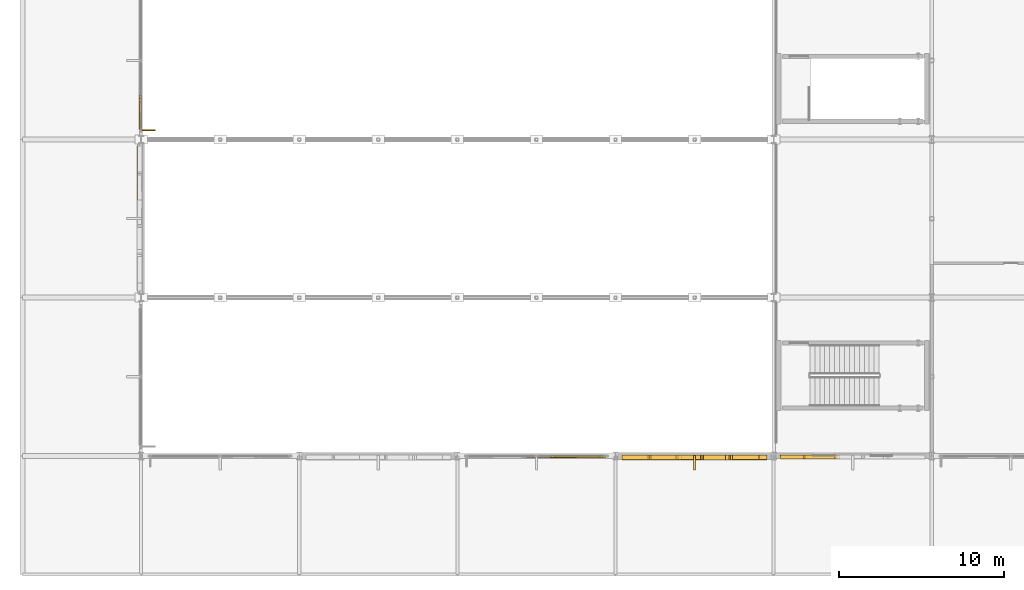
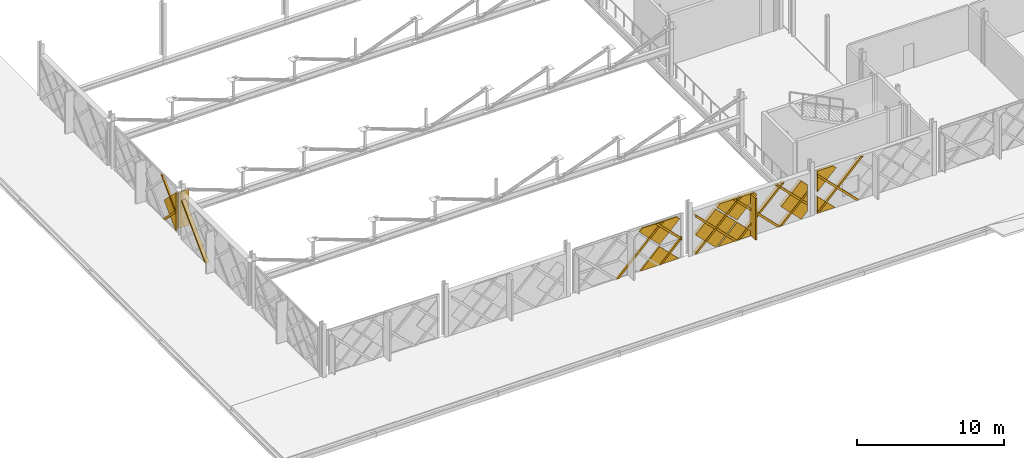
# One storey, part 75 of 101: 24 coverings, 1 shading device.
"""IFC4 building model written with IfcOpenShell, lengths in metres."""

from ifc_helpers import new_model, si_unit, direction, frame, origin, origin_2d, place, context, subcontext, project, spatial, polyline, rectangle, outline, extrude, material, layer, layer_set, type_object, element, save


model = new_model("IFC4")

# Units and contexts
model_context = context("Model", 3, precision=1e-05, world=origin(), true_north=direction((0.0, 1.0)))
body_context = subcontext(model_context, "Body", "Model", "MODEL_VIEW")
ifc_project = project(units=[si_unit("LENGTHUNIT", "METRE"), si_unit("AREAUNIT", "SQUARE_METRE"), si_unit("VOLUMEUNIT", "CUBIC_METRE"), si_unit("PLANEANGLEUNIT", "RADIAN"), si_unit("MASSUNIT", "GRAM", prefix="KILO")], contexts=[model_context])

# Site, building, storey
site_placement = place(None, origin())
site = spatial("IfcSite", under=ifc_project, at=site_placement, CompositionType="ELEMENT")
building_placement = place(site_placement, origin())
building = spatial("IfcBuilding", under=site, at=building_placement, Name="Zevrakil Square Congress Hotel", CompositionType="ELEMENT")
storey_placement = place(building_placement, frame((0.0, 0.0, 5.39990234375)))
storey = spatial("IfcBuildingStorey", under=building, at=storey_placement, Name="L02", CompositionType="ELEMENT", Elevation=5.39990234375)

# Coverings
ifc_material_1 = material(Name="Architectural White Fibre-C GRC", Category="concrete")
ifc_layer_1 = layer(ifc_material_1, 0.06494140625)
ifc_layer_set_1 = layer_set([ifc_layer_1], Name="Architectural White Fibre-C GRC")
covering_type_1 = type_object("IfcCoveringType", Name="COV-DIA-WHITE", PredefinedType="CLADDING", material=ifc_layer_set_1)
covering_1_placement = place(storey_placement, frame((33.639892578125, 7.10595703125, 1.590087890625), z_axis=(0.0, -0.999999790873, 0.000646725815), x_axis=(0.707106707249, -0.000457304257, -0.707106707249)))
element("IfcCovering", 1, at=covering_1_placement, inside=storey, type_object=covering_type_1, Name="L02 45-degree white GRC diamond facade cassette 24", PredefinedType="CLADDING", context=body_context, shape_type="SweptSolid", body=[
    extrude(outline(polyline([(0.0, 0.0), (2.1354765131557993, 0.0), (4.465861884739297e-07, -2.1354765131557527), (0.0, 0.0)])), origin(), (0.0, 0.0, -1.0), 0.1201171875),
])
covering_2_placement = place(storey_placement, frame((35.22998046875, 7.10693359375, 3.360107421875), z_axis=(0.0, -0.999999832177, 0.000579349913), x_axis=(-0.707106746172, -0.000409662272, -0.707106697532)))
element("IfcCovering", 2, at=covering_2_placement, inside=storey, type_object=covering_type_1, Name="L02 45-degree white GRC diamond facade cassette 27", PredefinedType="CLADDING", context=body_context, shape_type="SweptSolid", body=[
    extrude(outline(polyline([(0.0, 0.0), (2.24872397163871, -2.220446049250313e-16), (2.248551115452546, -2.2485513381386504), (1.9022482605459134, -2.2485513919469167), (-8.810449772522766e-08, -0.3463028549066256), (0.0, 0.0)])), origin(), (0.0, 0.0, -1.0), 0.1201171875),
])
covering_3_placement = place(storey_placement, frame((39.659912109375, 6.970947265625, 1.590087890625), z_axis=(0.0, -0.999999790873, 0.000646725815), x_axis=(0.707106707249, -0.000457304257, -0.707106707249)))
element("IfcCovering", 3, at=covering_3_placement, inside=storey, type_object=covering_type_1, Name="L02 45-degree white GRC diamond facade cassette 35", PredefinedType="CLADDING", context=body_context, shape_type="SweptSolid", body=[
    extrude(outline(polyline([(0.0, 0.0), (2.1354765131557993, 0.0), (4.465861884739297e-07, -2.1354765131557527), (0.0, 0.0)])), origin(), (0.0, 0.0, -1.0), 0.27001953125),
])
covering_4_placement = place(storey_placement, frame((37.97998046875, 6.971923828125, 3.27001953125), z_axis=(2.41659e-07, -0.999999856488, 0.000535746851), x_axis=(0.70716100192, -0.000378630288, -0.707052454916)))
element("IfcCovering", 4, at=covering_4_placement, inside=storey, type_object=covering_type_1, Name="L02 45-degree white GRC diamond facade cassette 36", PredefinedType="CLADDING", context=body_context, shape_type="SweptSolid", body=[
    extrude(outline(polyline([(0.0, 0.0), (2.248551442001582, 2.220446049250313e-16), (2.248379120041563, -2.2487239697677768), (0.01381109549741355, -2.248552500098768), (-0.0003437632191625184, -2.2343954703555884), (0.0, 0.0)])), origin(), (0.0, 0.0, -1.0), 0.27001953125),
])
covering_5_placement = place(storey_placement, frame((44.699951171875, 6.97021484375, 0.090087890625), z_axis=(5.0207808e-05, -0.999999852613, 0.000540604636), x_axis=(-0.707052454379, 0.000346795022, 0.707161018785)))
element("IfcCovering", 5, at=covering_5_placement, inside=storey, type_object=covering_type_1, Name="L02 45-degree white GRC diamond facade cassette 37", PredefinedType="CLADDING", context=body_context, shape_type="SweptSolid", body=[
    extrude(outline(polyline([(0.0, 0.0), (2.248551352209846, 2.220446049250313e-16), (2.248724291318874, -2.2483787984247634), (1.5416174700698355, -2.2484330810775544), (5.436686964732651e-05, -0.7071068193849661), (0.0, 0.0)])), origin(), (0.0, 0.0, -1.0), 0.27001953125),
])
covering_6_placement = place(storey_placement, frame((41.25, 6.971923828125, 3.360107421875), z_axis=(0.0, -0.999999832179, 0.000579346068), x_axis=(-0.707106746172, -0.000409659554, -0.707106697534)))
element("IfcCovering", 6, at=covering_6_placement, inside=storey, type_object=covering_type_1, Name="L02 45-degree white GRC diamond facade cassette 38", PredefinedType="CLADDING", context=body_context, shape_type="SweptSolid", body=[
    extrude(outline(polyline([(0.0, 0.0), (2.2487239716392238, 0.0), (2.2485511154520332, -2.2485513381391633), (1.9022482605456785, -2.2485513919470725), (0.00017254537865349362, -0.34647548840639664), (0.0, 0.0)])), origin(), (0.0, 0.0, -1.0), 0.27001953125),
])
covering_7_placement = place(storey_placement, frame((47.409912109375, 7.02001953125, 0.080078125), z_axis=(0.0, -0.999999760125, 0.000692640526), x_axis=(-1.0, 0.0, 0.0)))
element("IfcCovering", 7, at=covering_7_placement, inside=storey, type_object=covering_type_1, Name="L02 45-degree white GRC diamond facade cassette 46", PredefinedType="CLADDING", context=body_context, shape_type="SweptSolid", body=[
    extrude(outline(polyline([(0.0, 0.0), (1.409912109375, 0.0), (1.409912109375, -1.4099124475784228), (0.0, 0.0)])), origin(), (0.0, 0.0, -1.0), 0.219970703125),
])
covering_8_placement = place(storey_placement, frame((47.489990234375, 7.02197265625, 3.360107421875), z_axis=(-4.3128314e-05, -0.999999729263, 0.000734583879), x_axis=(-0.707106706577, -0.000488932986, -0.707106686758)))
element("IfcCovering", 8, at=covering_8_placement, inside=storey, type_object=covering_type_1, Name="L02 45-degree white GRC diamond facade cassette 49", PredefinedType="CLADDING", context=body_context, shape_type="SweptSolid", body=[
    extrude(outline(polyline([(0.0, 0.0), (2.1071646228656133, 0.0), (0.8804305992409426, -1.2267337637578877), (-1.1451513823312887e-07, -0.3463028658452808), (0.0, 0.0)])), origin(), (0.0, 0.0, -1.0), 0.219970703125),
])
covering_9_placement = place(storey_placement, frame((7.10498046875, 27.080078125, 0.090087890625), z_axis=(-0.999999810877, 4.3905e-08, 0.000615017631), x_axis=(0.000434947608, 0.707052423991, 0.707161000444)))
element("IfcCovering", 9, at=covering_9_placement, inside=storey, type_object=covering_type_1, Name="L02 45-degree white GRC diamond facade cassette 357", PredefinedType="CLADDING", context=body_context, shape_type="SweptSolid", body=[
    extrude(outline(polyline([(0.0, 0.0), (2.2485514454863083, 0.0), (2.2487244898345797, -2.248378798725155), (2.163961467029263, -2.248557955925599), (6.520949064468817e-06, -0.08493566953746919), (0.0, 0.0)])), origin(), (0.0, 0.0, -1.0), 0.1201171875),
])
ifc_material_2 = material(Name="Anodised Champagne Aluminium", Category="aluminium")
ifc_layer_2 = layer(ifc_material_2, 0.0849609375)
ifc_layer_set_2 = layer_set([ifc_layer_2], Name="Anodised Champagne Aluminium")
covering_type_2 = type_object("IfcCoveringType", Name="COV-DIAGRID-45", PredefinedType="MOLDING", material=ifc_layer_set_2)
covering_10_placement = place(storey_placement, frame((30.466064453125, 7.080078125, 0.080078125), z_axis=(0.0, -0.999999805714, 0.000623354914), x_axis=(-1.0, 0.0, 0.0)))
element("IfcCovering", 10, at=covering_10_placement, inside=storey, type_object=covering_type_2, Name="L02 45-degree aluminium diagrid rib 29", PredefinedType="MOLDING", context=body_context, shape_type="SweptSolid", body=[
    extrude(outline(polyline([(0.0, 0.0), (0.212158203125, 0.0), (-3.312744140625, -3.524903028588229), (-3.525146484375, -3.524903028588229), (0.0, 0.0)])), origin(), (0.0, 0.0, -1.0), 0.14501953125),
])
covering_11_placement = place(storey_placement, frame((33.826171875, 7.080078125, 0.080078125), z_axis=(0.000294160881, -0.999999913469, 0.000294160881), x_axis=(-0.999999956735, -0.000294160868, 8.6531e-08)))
element("IfcCovering", 11, at=covering_11_placement, inside=storey, type_object=covering_type_2, Name="L02 45-degree aluminium diagrid rib 30", PredefinedType="MOLDING", context=body_context, shape_type="SweptSolid", body=[
    extrude(outline(polyline([(0.0, 0.0), (0.21215819394590898, 2.8078904387053947e-24), (-1.5537110047217924, -1.7661134921050472), (-1.5537110230799749, -1.5539552981591391), (0.0, 0.0)])), origin(), (0.0, 0.0, -1.0), 0.14501953125),
])
covering_12_placement = place(storey_placement, frame((33.288818359375, 7.082275390625, 3.60498046875), z_axis=(0.000236459156, -0.99999955529, 0.00091296562), x_axis=(0.999999972044, 0.000236459057, -2.15879e-07)))
element("IfcCovering", 12, at=covering_12_placement, inside=storey, type_object=covering_type_2, Name="L02 45-degree aluminium diagrid rib 33", PredefinedType="MOLDING", context=body_context, shape_type="SweptSolid", body=[
    extrude(outline(polyline([(0.0, 0.0), (0.21240233781198098, 0.0), (2.091064511583775, -1.8786624408965298), (2.0910644997077372, -2.091064919019172), (0.0, 0.0)])), origin(), (0.0, 0.0, -1.0), 0.14501953125),
])
covering_13_placement = place(storey_placement, frame((36.486083984375, 6.945068359375, 0.080078125), z_axis=(0.000187311957, -0.999999884449, 0.000442737353), x_axis=(-0.999999982457, -0.000187311939, 8.293e-08)))
element("IfcCovering", 13, at=covering_13_placement, inside=storey, type_object=covering_type_2, Name="L02 45-degree aluminium diagrid rib 39", PredefinedType="MOLDING", context=body_context, shape_type="SweptSolid", body=[
    extrude(outline(polyline([(0.0, 0.0), (0.0861816391131254, 2.2812090330563966e-24), (0.08618164958060848, -0.12622069075433734), (-3.312744201763839, -3.524902971092284), (-3.5249024011669716, -3.524902971092284), (0.0, 0.0)])), origin(), (0.0, 0.0, -1.0), 0.294921875),
])
covering_14_placement = place(storey_placement, frame((39.84619140625, 6.945068359375, 0.080078125), z_axis=(0.0, -0.999999805714, 0.000623354914), x_axis=(-1.0, 0.0, 0.0)))
element("IfcCovering", 14, at=covering_14_placement, inside=storey, type_object=covering_type_2, Name="L02 45-degree aluminium diagrid rib 40", PredefinedType="MOLDING", context=body_context, shape_type="SweptSolid", body=[
    extrude(outline(polyline([(0.0, 0.0), (0.21240234375, 0.0), (-3.312744140625, -3.524903028588229), (-3.52490234375, -3.524903028588229), (0.0, 0.0)])), origin(), (0.0, 0.0, -1.0), 0.294921875),
])
covering_15_placement = place(storey_placement, frame((43.2060546875, 6.945068359375, 0.080078125), z_axis=(0.000290646956, -0.999999915524, 0.000290646956), x_axis=(-0.999999957762, -0.000290646943, 8.4476e-08)))
element("IfcCovering", 15, at=covering_15_placement, inside=storey, type_object=covering_type_2, Name="L02 45-degree aluminium diagrid rib 41", PredefinedType="MOLDING", context=body_context, shape_type="SweptSolid", body=[
    extrude(outline(polyline([(0.0, 0.0), (0.21215819416389847, -2.8078904387053947e-24), (-1.9938965685928591, -2.2060549491146975), (-1.9938965865150626, -1.9938967549507998), (0.0, 0.0)])), origin(), (0.0, 0.0, -1.0), 0.294921875),
])
covering_16_placement = place(storey_placement, frame((36.39990234375, 6.947021484375, 3.154052734375), z_axis=(-0.00030708991, -0.999999905696, 0.00030708991), x_axis=(9.4304e-08, 0.000307089896, 0.999999952848)))
element("IfcCovering", 16, at=covering_16_placement, inside=storey, type_object=covering_type_2, Name="L02 45-degree aluminium diagrid rib 42", PredefinedType="MOLDING", context=body_context, shape_type="SweptSolid", body=[
    extrude(outline(polyline([(0.0, 0.0), (0.2121581931212936, 0.0), (-3.0739747543193885, -3.2861332573369064), (-3.073974774326802, -3.0739750642156136), (0.0, 0.0)])), origin(), (0.0, 0.0, -1.0), 0.294921875),
])
covering_17_placement = place(storey_placement, frame((39.308837890625, 6.947265625, 3.60498046875), z_axis=(0.0, -0.999999805714, 0.000623354914), x_axis=(1.0, 0.0, 0.0)))
element("IfcCovering", 17, at=covering_17_placement, inside=storey, type_object=covering_type_2, Name="L02 45-degree aluminium diagrid rib 43", PredefinedType="MOLDING", context=body_context, shape_type="SweptSolid", body=[
    extrude(outline(polyline([(0.0, 0.0), (0.212158203125, 0.0), (3.7373046875, -3.5249030285882292), (3.525146484375, -3.5249030285882292), (0.0, 0.0)])), origin(), (0.0, 0.0, -1.0), 0.294921875),
])
covering_18_placement = place(storey_placement, frame((42.6689453125, 6.947265625, 3.60498046875), z_axis=(0.000248165226, -0.99999956188, 0.000902582256), x_axis=(0.999999969207, 0.000248165125, -2.2399e-07)))
element("IfcCovering", 18, at=covering_18_placement, inside=storey, type_object=covering_type_2, Name="L02 45-degree aluminium diagrid rib 44", PredefinedType="MOLDING", context=body_context, shape_type="SweptSolid", body=[
    extrude(outline(polyline([(0.0, 0.0), (0.21215819659201454, 0.0), (2.531005937312241, -2.318848033861662), (2.53100592424627, -2.5310063709258004), (0.0, 0.0)])), origin(), (0.0, 0.0, -1.0), 0.294921875),
])
covering_19_placement = place(storey_placement, frame((46.086181640625, 6.9951171875, 0.080078125), z_axis=(0.000187311957, -0.999999884449, 0.000442737353), x_axis=(-0.999999982457, -0.000187311939, 8.293e-08)))
element("IfcCovering", 19, at=covering_19_placement, inside=storey, type_object=covering_type_2, Name="L02 45-degree aluminium diagrid rib 51", PredefinedType="MOLDING", context=body_context, shape_type="SweptSolid", body=[
    extrude(outline(polyline([(0.0, 0.0), (0.0861816391131254, 2.2812090330563966e-24), (0.08618164958060848, -0.12622069075433734), (-3.312744201763839, -3.524902971092284), (-3.5249024011669716, -3.524902971092284), (0.0, 0.0)])), origin(), (0.0, 0.0, -1.0), 0.2451171875),
])
covering_20_placement = place(storey_placement, frame((46.0, 6.996826171875, 3.154052734375), z_axis=(0.000287477056, -0.99999958606, 0.000863270454), x_axis=(8.2643e-08, 0.000863270513, 0.999999627382)))
element("IfcCovering", 20, at=covering_20_placement, inside=storey, type_object=covering_type_2, Name="L02 45-degree aluminium diagrid rib 54", PredefinedType="MOLDING", context=body_context, shape_type="SweptSolid", body=[
    extrude(outline(polyline([(0.0, 0.0), (0.21215833483042407, 1.3234889800848443e-23), (-3.0739746676964605, -3.286133202330571), (-3.073974685229852, -3.0739750079722734), (0.0, 0.0)])), origin(), (0.0, 0.0, -1.0), 0.2451171875),
])
covering_21_placement = place(storey_placement, frame((6.947021484375, 26.0, 3.154052734375), z_axis=(-0.999999905696, 0.00030708991, 0.00030708991), x_axis=(0.000307089896, -9.4304e-08, 0.999999952848)))
element("IfcCovering", 21, at=covering_21_placement, inside=storey, type_object=covering_type_2, Name="L02 45-degree aluminium diagrid rib 343", PredefinedType="MOLDING", context=body_context, shape_type="SweptSolid", body=[
    extrude(outline(polyline([(0.0, 0.0), (0.2121581931212936, 0.0), (-3.0739747543193885, -3.2861332573369064), (-3.073974774326802, -3.0739750642156136), (0.0, 0.0)])), origin(), (0.0, 0.0, -1.0), 0.294921875),
])
covering_22_placement = place(storey_placement, frame((7.080078125, 28.573974609375, 0.080078125), z_axis=(-0.999999913482, -0.000294139249, 0.000294139249), x_axis=(-0.000294139237, 0.999999956741, 8.6518e-08)))
element("IfcCovering", 22, at=covering_22_placement, inside=storey, type_object=covering_type_2, Name="L02 45-degree aluminium diagrid rib 361", PredefinedType="MOLDING", context=body_context, shape_type="SweptSolid", body=[
    extrude(outline(polyline([(0.0, 0.0), (0.2121581939472589, 0.0), (-1.553955145347468, -1.7661134920951609), (-1.5539551637029505, -1.5539552981479028), (0.0, 0.0)])), origin(), (0.0, 0.0, -1.0), 0.14501953125),
])
covering_23_placement = place(storey_placement, frame((7.082275390625, 29.10107421875, 3.59521484375), z_axis=(-0.999999554006, -0.000234928981, 0.000914765827), x_axis=(0.000234928883, -0.999999972404, -2.14905e-07)))
element("IfcCovering", 23, at=covering_23_placement, inside=storey, type_object=covering_type_2, Name="L02 45-degree aluminium diagrid rib 364", PredefinedType="MOLDING", context=body_context, shape_type="SweptSolid", body=[
    extrude(outline(polyline([(0.0, 0.0), (0.21215819727032179, -5.6157808774107894e-24), (2.0810547449283985, -1.8688968190892923), (2.081054733219042, -2.0812992973020044), (0.0, 0.0)])), origin(), (0.0, 0.0, -1.0), 0.14501953125),
])
ifc_material_3 = material(Name="Architectural White Fibre-C GRC", Category="concrete")
ifc_layer_3 = layer(ifc_material_3, 0.139892578125)
ifc_layer_set_3 = layer_set([ifc_layer_3], Name="Architectural White Fibre-C GRC")
covering_type_3 = type_object("IfcCoveringType", Name="COV-FIN-GRC90", PredefinedType="MOLDING", material=ifc_layer_set_3)
covering_24_placement = place(storey_placement, frame((40.800048828125, 6.780029296875, 0.1201171875), z_axis=(0.0, 0.0, 1.0), x_axis=(0.0, -1.0, 0.0)))
element("IfcCovering", 24, at=covering_24_placement, inside=storey, type_object=covering_type_3, Name="L02 highland sun-breaker GRC fin 45", PredefinedType="MOLDING", context=body_context, shape_type="SweptSolid", body=[
    extrude(rectangle(XDim=0.89990234375, YDim=0.139892578125, at=origin_2d()), origin(), (0.0, 0.0, 1.0), 3.445068359375),
])

# Shading device
ifc_material_4 = material(Name="Aluminium Anodised Bronze", Category="aluminium")
shading_device_type = type_object("IfcShadingDeviceType", Name="SHD-FIN-85", PredefinedType="USERDEFINED", material=ifc_material_4)
shading_device_placement = place(storey_placement, frame((7.64501953125, 26.9599609375, 0.337646484375), z_axis=(0.0, 0.0, 1.0), x_axis=(1.0, 0.0, 0.0)))
element("IfcShadingDevice", 25, at=shading_device_placement, inside=storey, type_object=shading_device_type, Name="L02 aluminium solar shading fin 20", ObjectType="SOLAR FIN", PredefinedType="USERDEFINED", context=body_context, shape_type="SweptSolid", body=[
    extrude(rectangle(XDim=0.85009765625, YDim=0.080078125, at=origin_2d()), origin(), (0.0, 0.0, 1.0), 3.0),
])

save(model, "model.ifc")
